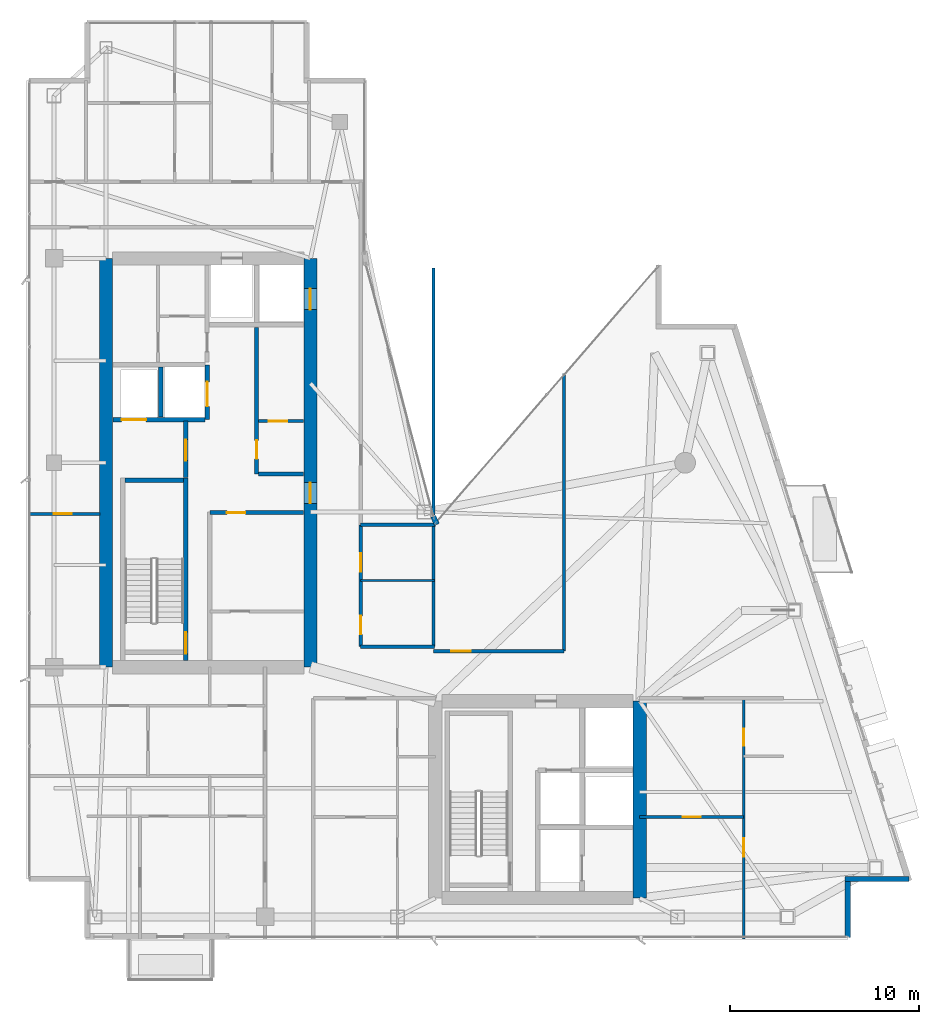
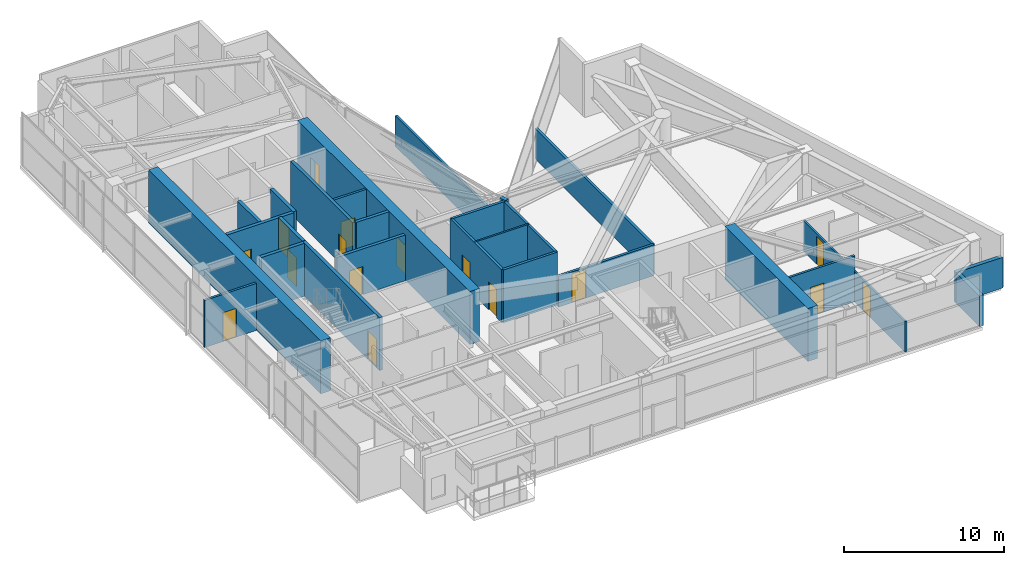
# One storey, part 25 of 29: 27 walls, 16 doors, 16 openings.
"""IFC4 building model written with IfcOpenShell, lengths in metres."""

from ifc_helpers import new_model, si_unit, direction, frame, frame_2d, origin, place, context, subcontext, project, spatial, rectangle, extrude, material, layer, layer_set, type_object, element, fill, save


model = new_model("IFC4")

# Units and contexts
model_context = context("Model", 3, precision=1e-05, world=origin(), true_north=direction((0.0, 1.0)))
body_context = subcontext(model_context, "Body", "Model", "MODEL_VIEW")
ifc_project = project(units=[si_unit("LENGTHUNIT", "METRE"), si_unit("AREAUNIT", "SQUARE_METRE"), si_unit("VOLUMEUNIT", "CUBIC_METRE"), si_unit("PLANEANGLEUNIT", "RADIAN"), si_unit("MASSUNIT", "GRAM", prefix="KILO")], contexts=[model_context])

# Site, building, storey
site_placement = place(None, origin())
site = spatial("IfcSite", under=ifc_project, at=site_placement, CompositionType="ELEMENT")
building_placement = place(site_placement, origin())
building = spatial("IfcBuilding", under=site, at=building_placement, Name="Calvorn Quay Hotel", CompositionType="ELEMENT")
storey_placement = place(building_placement, frame((0.0, 0.0, 259.0)))
storey = spatial("IfcBuildingStorey", under=building, at=storey_placement, Name="L64", CompositionType="ELEMENT", Elevation=259.0)

# Wall
ifc_material_1 = material(Name="Concrete C45", Category="concrete")
ifc_layer_1 = layer(ifc_material_1, 0.699951171875)
ifc_layer_set_1 = layer_set([ifc_layer_1], Name="WL-CORE-700")
wall_type_1 = type_object("IfcWallType", Name="WL-CORE-700", PredefinedType="SHEAR", material=ifc_layer_set_1)
wall_1_placement = place(storey_placement, frame((4.199951171875, 16.800048828125, 0.0), z_axis=(0.0, 0.0, 1.0), x_axis=(0.0, 1.0, 0.0)))
element("IfcWall", 1, at=wall_1_placement, inside=storey, type_object=wall_type_1, Name="West Core Shear Wall W (L64)", PredefinedType="SHEAR", context=body_context, shape_type="SweptSolid", body=[
    extrude(rectangle(XDim=21.599853515625, YDim=0.699951171875, at=frame_2d((10.7998046875, 0.0))), origin(), (0.0, 0.0, 1.0), 4.050048828125),
])

# Wall, openings, doors
wall_2_placement = place(storey_placement, frame((15.0, 16.800048828125, 0.0), z_axis=(0.0, 0.0, 1.0), x_axis=(0.0, 1.0, 0.0)))
wall_2 = element("IfcWall", 2, at=wall_2_placement, inside=storey, type_object=wall_type_1, Name="West Core Shear Wall E (L64)", PredefinedType="SHEAR", context=body_context, shape_type="SweptSolid", body=[
    extrude(rectangle(XDim=21.599853515625, YDim=0.699951171875, at=frame_2d((10.7998046875, 0.0))), origin(), (0.0, 0.0, 1.0), 4.050048828125),
])
opening_1_placement = place(wall_2_placement, frame((8.64990234375, 0.0, 0.0)))
opening_1 = element("IfcOpeningElement", 3, at=opening_1_placement, cuts=wall_2, Name="Opening D-L64-CW1", PredefinedType="OPENING", context=body_context, shape_type="SweptSolid", body=[
    extrude(rectangle(XDim=1.10009765625, YDim=2.199951171875, at=frame_2d((0.550048828125, 1.10009765625))), frame((0.0, 0.35986328125, 0.0), z_axis=(0.0, -1.0, 0.0), x_axis=(1.0, 0.0, 0.0)), (0.0, 0.0, 1.0), 0.719970703125),
])
opening_2_placement = place(wall_2_placement, frame((18.89990234375, 0.0, 0.0)))
opening_2 = element("IfcOpeningElement", 4, at=opening_2_placement, cuts=wall_2, Name="Opening LD-L64-H1", PredefinedType="OPENING", context=body_context, shape_type="SweptSolid", body=[
    extrude(rectangle(XDim=1.10009765625, YDim=2.199951171875, at=frame_2d((0.550048828125, 1.10009765625))), frame((0.0, 0.35986328125, 0.0), z_axis=(0.0, -1.0, 0.0), x_axis=(1.0, 0.0, 0.0)), (0.0, 0.0, 1.0), 0.719970703125),
])
ifc_material_2 = material(Name="Smoke-Sealed Steel Class A Fire Door", Category="steel")
door_type_1 = type_object("IfcDoorType", Name="DR-FFLOBBY-1100", OperationType="NOTDEFINED", PredefinedType="DOOR", material=ifc_material_2)
door_1_placement = place(opening_1_placement, origin())
door_1 = element("IfcDoor", 5, at=door_1_placement, inside=storey, type_object=door_type_1, Name="West Core Vestibule Fire Door (L64)", OperationType="SINGLE_SWING_LEFT", OverallHeight=2.199951171875, OverallWidth=1.10009765625, PredefinedType="DOOR", context=body_context, shape_type="SweptSolid", body=[
    extrude(rectangle(XDim=1.10009765625, YDim=2.199951171875, at=frame_2d((0.550048828125, 1.10009765625))), frame((0.0, 0.02490234375, 0.0), z_axis=(0.0, -1.0, 0.0), x_axis=(1.0, 0.0, 0.0)), (0.0, 0.0, 1.0), 0.050048828125),
])
fill(opening_1, door_1)
ifc_material_3 = material(Name="Brushed Stainless Steel Sliding Lift Landing Door", Category="steel")
door_type_2 = type_object("IfcDoorType", Name="DR-LIFT-PASS-1100", OperationType="NOTDEFINED", PredefinedType="DOOR", material=ifc_material_3)
door_2_placement = place(opening_2_placement, origin())
door_2 = element("IfcDoor", 6, at=door_2_placement, inside=storey, type_object=door_type_2, Name="High-Rise Lift PL-H1 Landing Door (L64)", OperationType="DOUBLE_DOOR_SLIDING", OverallHeight=2.199951171875, OverallWidth=1.10009765625, PredefinedType="DOOR", context=body_context, shape_type="SweptSolid", body=[
    extrude(rectangle(XDim=1.10009765625, YDim=2.199951171875, at=frame_2d((0.550048828125, 1.10009765625))), frame((0.0, 0.02490234375, 0.0), z_axis=(0.0, -1.0, 0.0), x_axis=(1.0, 0.0, 0.0)), (0.0, 0.0, 1.0), 0.050048828125),
])
fill(opening_2, door_2)

# Walls
wall_3_placement = place(storey_placement, frame((32.39990234375, 4.60009765625, 0.0), z_axis=(0.0, 0.0, 1.0), x_axis=(0.0, 1.0, 0.0)))
element("IfcWall", 7, at=wall_3_placement, inside=storey, type_object=wall_type_1, Name="East Core Shear Wall E (L64)", PredefinedType="SHEAR", context=body_context, shape_type="SweptSolid", body=[
    extrude(rectangle(XDim=10.39990234375, YDim=0.699951171875, at=frame_2d((5.199951171875, 0.0))), origin(), (0.0, 0.0, 1.0), 4.050048828125),
])
ifc_material_4 = material(Name="Acoustic Fireboard Steel-Stud Partition", Category="steel")
ifc_layer_2 = layer(ifc_material_4, 0.179931640625)
ifc_layer_set_2 = layer_set([ifc_layer_2], Name="WL-CORR-FIRE-180")
wall_type_2 = type_object("IfcWallType", Name="WL-CORR-FIRE-180", PredefinedType="PARTITIONING", material=ifc_layer_set_2)
wall_4_placement = place(storey_placement, frame((17.64990234375, 17.8798828125, 0.0), z_axis=(0.0, 0.0, 1.0), x_axis=(1.0, 0.0, 0.0)))
element("IfcWall", 8, at=wall_4_placement, inside=storey, type_object=wall_type_2, Name="Partition Wall L64-WL-HK-S", PredefinedType="PARTITIONING", context=body_context, shape_type="SweptSolid", body=[
    extrude(rectangle(XDim=3.900146484375, YDim=0.179931640625, at=frame_2d((1.9501953125, 0.0))), origin(), (0.0, 0.0, 1.0), 4.050048828125),
])
wall_5_placement = place(storey_placement, frame((17.64990234375, 24.320068359375, 0.0), z_axis=(0.0, 0.0, 1.0), x_axis=(1.0, 0.0, 0.0)))
element("IfcWall", 9, at=wall_5_placement, inside=storey, type_object=wall_type_2, Name="Partition Wall L64-WL-HK-N", PredefinedType="PARTITIONING", context=body_context, shape_type="SweptSolid", body=[
    extrude(rectangle(XDim=3.9501953125, YDim=0.179931640625, at=frame_2d((1.97509765625, 0.0))), origin(), (0.0, 0.0, 1.0), 4.050048828125),
])
wall_6_placement = place(storey_placement, frame((21.5, 17.8798828125, 0.0), z_axis=(0.0, 0.0, 1.0), x_axis=(0.0, 1.0, 0.0)))
element("IfcWall", 10, at=wall_6_placement, inside=storey, type_object=wall_type_2, Name="Partition Wall L64-WL-HK-E", PredefinedType="PARTITIONING", context=body_context, shape_type="SweptSolid", body=[
    extrude(rectangle(XDim=6.440185546875, YDim=0.179931640625, at=frame_2d((3.22021484375, 0.0))), origin(), (0.0, 0.0, 1.0), 4.050048828125),
])

# Wall, openings, doors
wall_7_placement = place(storey_placement, frame((17.64990234375, 17.8798828125, 0.0), z_axis=(0.0, 0.0, 1.0), x_axis=(0.0, 1.0, 0.0)))
wall_7 = element("IfcWall", 11, at=wall_7_placement, inside=storey, type_object=wall_type_2, Name="Partition Wall L64-WL-HK-W", PredefinedType="PARTITIONING", context=body_context, shape_type="SweptSolid", body=[
    extrude(rectangle(XDim=6.440185546875, YDim=0.179931640625, at=frame_2d((3.22021484375, 0.0))), origin(), (0.0, 0.0, 1.0), 4.050048828125),
])
opening_3_placement = place(wall_7_placement, frame((0.64990234375, 0.0, 0.0)))
opening_3 = element("IfcOpeningElement", 12, at=opening_3_placement, cuts=wall_7, Name="Opening D-L64-HK", PredefinedType="OPENING", context=body_context, shape_type="SweptSolid", body=[
    extrude(rectangle(XDim=0.97998046875, YDim=2.14990234375, at=frame_2d((0.489990234375, 1.074951171875))), frame((0.0, 0.099853515625, 0.0), z_axis=(0.0, -1.0, 0.0), x_axis=(1.0, 0.0, 0.0)), (0.0, 0.0, 1.0), 0.199951171875),
])
opening_4_placement = place(wall_7_placement, frame((3.969970703125, 0.0, 0.0)))
opening_4 = element("IfcOpeningElement", 13, at=opening_4_placement, cuts=wall_7, Name="Opening D-L64-NCP", PredefinedType="OPENING", context=body_context, shape_type="SweptSolid", body=[
    extrude(rectangle(XDim=0.9599609375, YDim=2.199951171875, at=frame_2d((0.47998046875, 1.10009765625))), frame((0.0, 0.099853515625, 0.0), z_axis=(0.0, -1.0, 0.0), x_axis=(1.0, 0.0, 0.0)), (0.0, 0.0, 1.0), 0.199951171875),
])
ifc_material_5 = material(Name="Painted Steel Housekeeping/Riser Fire Door", Category="steel")
door_type_3 = type_object("IfcDoorType", Name="DR-SERVICE-980", OperationType="NOTDEFINED", PredefinedType="DOOR", material=ifc_material_5)
door_3_placement = place(opening_3_placement, origin())
door_3 = element("IfcDoor", 14, at=door_3_placement, inside=storey, type_object=door_type_3, Name="Floor Housekeeping Door (L64)", OperationType="SINGLE_SWING_LEFT", OverallHeight=2.14990234375, OverallWidth=0.97998046875, PredefinedType="DOOR", context=body_context, shape_type="SweptSolid", body=[
    extrude(rectangle(XDim=0.97998046875, YDim=2.14990234375, at=frame_2d((0.489990234375, 1.074951171875))), frame((0.0, 0.02490234375, 0.0), z_axis=(0.0, -1.0, 0.0), x_axis=(1.0, 0.0, 0.0)), (0.0, 0.0, 1.0), 0.050048828125),
])
fill(opening_3, door_3)
ifc_material_6 = material(Name="Solid Timber Internal Suite Door", Category="wood")
door_type_4 = type_object("IfcDoorType", Name="DR-SUITE-INT-960", OperationType="NOTDEFINED", PredefinedType="DOOR", material=ifc_material_6)
door_4_placement = place(opening_4_placement, origin())
door_4 = element("IfcDoor", 15, at=door_4_placement, inside=storey, type_object=door_type_4, Name="Reading Alcove Door (L64)", OperationType="SINGLE_SWING_RIGHT", OverallHeight=2.199951171875, OverallWidth=0.9599609375, PredefinedType="DOOR", context=body_context, shape_type="SweptSolid", body=[
    extrude(rectangle(XDim=0.9599609375, YDim=2.199951171875, at=frame_2d((0.47998046875, 1.10009765625))), frame((0.0, 0.02490234375, 0.0), z_axis=(0.0, -1.0, 0.0), x_axis=(1.0, 0.0, 0.0)), (0.0, 0.0, 1.0), 0.050048828125),
])
fill(opening_4, door_4)

# Wall, opening, door
wall_8_placement = place(storey_placement, frame((21.5, 17.64990234375, 0.0), z_axis=(0.0, 0.0, 1.0), x_axis=(1.0, 0.0, 0.0)))
wall_8 = element("IfcWall", 16, at=wall_8_placement, inside=storey, type_object=wall_type_2, Name="Partition Wall L64-WL-CORR-NE-N", PredefinedType="PARTITIONING", context=body_context, shape_type="SweptSolid", body=[
    extrude(rectangle(XDim=6.89990234375, YDim=0.179931640625, at=frame_2d((3.449951171875, 0.0))), origin(), (0.0, 0.0, 1.0), 2.35009765625),
])
opening_5_placement = place(wall_8_placement, frame((0.949951171875, 0.0, 0.0)))
opening_5 = element("IfcOpeningElement", 17, at=opening_5_placement, cuts=wall_8, Name="Opening D-L64-NS1", PredefinedType="OPENING", context=body_context, shape_type="SweptSolid", body=[
    extrude(rectangle(XDim=1.02001953125, YDim=2.199951171875, at=frame_2d((0.510009765625, 1.10009765625))), frame((0.0, 0.099853515625, 0.0), z_axis=(0.0, -1.0, 0.0), x_axis=(1.0, 0.0, 0.0)), (0.0, 0.0, 1.0), 0.199951171875),
])
ifc_material_7 = material(Name="Solid-Core Walnut Veneer Hotel Fire Door")
door_type_5 = type_object("IfcDoorType", Name="DR-GUEST-ENTRY-1020", OperationType="NOTDEFINED", PredefinedType="DOOR", material=ifc_material_7)
door_5_placement = place(opening_5_placement, origin())
door_5 = element("IfcDoor", 18, at=door_5_placement, inside=storey, type_object=door_type_5, Name="Conservatory Salon Door 1 (L64)", OperationType="SINGLE_SWING_RIGHT", OverallHeight=2.199951171875, OverallWidth=1.02001953125, PredefinedType="DOOR", context=body_context, shape_type="SweptSolid", body=[
    extrude(rectangle(XDim=1.02001953125, YDim=2.199951171875, at=frame_2d((0.510009765625, 1.10009765625))), frame((0.0, 0.02490234375, 0.0), z_axis=(0.0, -1.0, 0.0), x_axis=(1.0, 0.0, 0.0)), (0.0, 0.0, 1.0), 0.050048828125),
])
fill(opening_5, door_5)

# Walls
wall_9_placement = place(storey_placement, frame((28.39990234375, 17.64990234375, 0.0), z_axis=(0.0, 0.0, 1.0), x_axis=(0.0, 1.0, 0.0)))
element("IfcWall", 19, at=wall_9_placement, inside=storey, type_object=wall_type_2, Name="Partition Wall L64-WL-NE-END-E", PredefinedType="PARTITIONING", context=body_context, shape_type="SweptSolid", body=[
    extrude(rectangle(XDim=14.670166015625, YDim=0.179931640625, at=frame_2d((7.3349609375, 0.0))), origin(), (0.0, 0.0, 1.0), 2.35009765625),
])
ifc_material_8 = material(Name="Moisture-Resistant Tile-Backed Partition")
ifc_layer_3 = layer(ifc_material_8, 0.125)
ifc_layer_set_3 = layer_set([ifc_layer_3], Name="WL-ENSUITE-125")
wall_type_3 = type_object("IfcWallType", Name="WL-ENSUITE-125", PredefinedType="PARTITIONING", material=ifc_layer_set_3)
wall_10_placement = place(storey_placement, frame((17.64990234375, 21.3798828125, 0.0), z_axis=(0.0, 0.0, 1.0), x_axis=(1.0, 0.0, 0.0)))
element("IfcWall", 20, at=wall_10_placement, inside=storey, type_object=wall_type_3, Name="Partition Wall L64-WL-HK-M", PredefinedType="PARTITIONING", context=body_context, shape_type="SweptSolid", body=[
    extrude(rectangle(XDim=3.900146484375, YDim=0.125, at=frame_2d((1.9501953125, 0.0))), origin(), (0.0, 0.0, 1.0), 4.050048828125),
])

# Wall, openings, doors
wall_11_placement = place(storey_placement, frame((37.889892578125, 2.43994140625, 0.0), z_axis=(0.0, 0.0, 1.0), x_axis=(0.0, 1.0, 0.0)))
wall_11 = element("IfcWall", 21, at=wall_11_placement, inside=storey, type_object=wall_type_3, Name="Partition Wall L64-WL-U06-BV", PredefinedType="PARTITIONING", context=body_context, shape_type="SweptSolid", body=[
    extrude(rectangle(XDim=12.7099609375, YDim=0.125, at=frame_2d((6.35498046875, 0.0))), origin(), (0.0, 0.0, 1.0), 2.35009765625),
])
opening_6_placement = place(wall_11_placement, frame((4.35009765625, 0.0, 0.0)))
opening_6 = element("IfcOpeningElement", 22, at=opening_6_placement, cuts=wall_11, Name="Opening D-L64-S06", PredefinedType="OPENING", context=body_context, shape_type="SweptSolid", body=[
    extrude(rectangle(XDim=0.9599609375, YDim=2.199951171875, at=frame_2d((0.47998046875, 1.10009765625))), frame((0.0, 0.072509765625, 0.0), z_axis=(0.0, -1.0, 0.0), x_axis=(1.0, 0.0, 0.0)), (0.0, 0.0, 1.0), 0.14501953125),
])
opening_7_placement = place(wall_11_placement, frame((10.2099609375, 0.0, 0.0)))
opening_7 = element("IfcOpeningElement", 23, at=opening_7_placement, cuts=wall_11, Name="Opening D-L64-E06", PredefinedType="OPENING", context=body_context, shape_type="SweptSolid", body=[
    extrude(rectangle(XDim=0.89990234375, YDim=2.14990234375, at=frame_2d((0.449951171875, 1.074951171875))), frame((0.0, 0.072509765625, 0.0), z_axis=(0.0, -1.0, 0.0), x_axis=(1.0, 0.0, 0.0)), (0.0, 0.0, 1.0), 0.14501953125),
])
ifc_material_9 = material(Name="Moisture-Sealed Timber En-Suite Door", Category="wood")
door_type_6 = type_object("IfcDoorType", Name="DR-ENSUITE-900", OperationType="NOTDEFINED", PredefinedType="DOOR", material=ifc_material_9)
door_6_placement = place(opening_7_placement, origin())
door_6 = element("IfcDoor", 24, at=door_6_placement, inside=storey, type_object=door_type_6, Name="En-Suite Door 06", OperationType="SINGLE_SWING_RIGHT", OverallHeight=2.14990234375, OverallWidth=0.89990234375, PredefinedType="DOOR", context=body_context, shape_type="SweptSolid", body=[
    extrude(rectangle(XDim=0.89990234375, YDim=2.14990234375, at=frame_2d((0.449951171875, 1.074951171875))), frame((0.0, 0.02490234375, 0.0), z_axis=(0.0, -1.0, 0.0), x_axis=(1.0, 0.0, 0.0)), (0.0, 0.0, 1.0), 0.050048828125),
])
fill(opening_7, door_6)
door_7_placement = place(opening_6_placement, origin())
door_7 = element("IfcDoor", 25, at=door_7_placement, inside=storey, type_object=door_type_4, Name="Children Play Nursery Door 06", OperationType="SINGLE_SWING_LEFT", OverallHeight=2.199951171875, OverallWidth=0.9599609375, PredefinedType="DOOR", context=body_context, shape_type="SweptSolid", body=[
    extrude(rectangle(XDim=0.9599609375, YDim=2.199951171875, at=frame_2d((0.47998046875, 1.10009765625))), frame((0.0, 0.02490234375, 0.0), z_axis=(0.0, -1.0, 0.0), x_axis=(1.0, 0.0, 0.0)), (0.0, 0.0, 1.0), 0.050048828125),
])
fill(opening_6, door_7)

# Walls
ifc_material_10 = material(Name="Concrete C40", Category="concrete")
ifc_layer_4 = layer(ifc_material_10, 0.320068359375)
ifc_layer_set_4 = layer_set([ifc_layer_4], Name="WL-EXT-SPANDREL-320")
wall_type_4 = type_object("IfcWallType", Name="WL-EXT-SPANDREL-320", PredefinedType="SOLIDWALL", material=ifc_layer_set_4)
wall_12_placement = place(storey_placement, frame((21.679931640625, 24.340087890625, 0.0), z_axis=(0.0, 0.0, 1.0), x_axis=(-0.40758134973, 0.913168901875, 0.0)))
element("IfcWall", 26, at=wall_12_placement, inside=storey, type_object=wall_type_4, Name="Inner Court Corner Pier L64-ICJ1", PredefinedType="SOLIDWALL", context=body_context, shape_type="SweptSolid", body=[
    extrude(rectangle(XDim=0.470703125, YDim=0.280029296875, at=frame_2d((0.2353515625, 0.0))), origin(), (0.0, 0.0, 1.0), 4.050048828125),
])
wall_13_placement = place(storey_placement, frame((43.39990234375, 2.52001953125, 0.0), z_axis=(0.0, 0.0, 1.0), x_axis=(0.0, 1.0, 0.0)))
element("IfcWall", 27, at=wall_13_placement, inside=storey, type_object=wall_type_4, Name="Notched Corner Spandrel L64-SE1", PredefinedType="SOLIDWALL", context=body_context, shape_type="SweptSolid", body=[
    extrude(rectangle(XDim=2.93994140625, YDim=0.280029296875, at=frame_2d((1.469970703125, 0.0))), origin(), (0.0, 0.0, 1.0), 2.35009765625),
])
wall_14_placement = place(storey_placement, frame((43.260009765625, 5.60009765625, 0.0), z_axis=(0.0, 0.0, 1.0), x_axis=(1.0, 0.0, 0.0)))
element("IfcWall", 28, at=wall_14_placement, inside=storey, type_object=wall_type_4, Name="Notched Corner Spandrel L64-SE2", PredefinedType="SOLIDWALL", context=body_context, shape_type="SweptSolid", body=[
    extrude(rectangle(XDim=3.3798828125, YDim=0.280029296875, at=frame_2d((1.68994140625, 0.0))), origin(), (0.0, 0.0, 1.0), 2.35009765625),
])

# Wall, opening, door
ifc_material_11 = material(Name="Double-Stud Acoustic Gypsum Partition")
ifc_layer_5 = layer(ifc_material_11, 0.159912109375)
ifc_layer_set_5 = layer_set([ifc_layer_5], Name="WL-INTERSUITE-160")
wall_type_5 = type_object("IfcWallType", Name="WL-INTERSUITE-160", PredefinedType="PARTITIONING", material=ifc_layer_set_5)
wall_15_placement = place(storey_placement, frame((12.25, 29.800048828125, 0.0), z_axis=(0.0, 0.0, 1.0), x_axis=(1.0, 0.0, 0.0)))
wall_15 = element("IfcWall", 29, at=wall_15_placement, inside=storey, type_object=wall_type_5, Name="Partition Wall L64-WL-CWW-FM-SPLIT", PredefinedType="PARTITIONING", context=body_context, shape_type="SweptSolid", body=[
    extrude(rectangle(XDim=2.3798828125, YDim=0.159912109375, at=frame_2d((1.18994140625, 0.0))), origin(), (0.0, 0.0, 1.0), 4.050048828125),
])
opening_8_placement = place(wall_15_placement, frame((0.550048828125, 0.0, 0.0)))
opening_8 = element("IfcOpeningElement", 30, at=opening_8_placement, cuts=wall_15, Name="Opening D-L64-FM2", PredefinedType="OPENING", context=body_context, shape_type="SweptSolid", body=[
    extrude(rectangle(XDim=0.97998046875, YDim=2.14990234375, at=frame_2d((0.489990234375, 1.074951171875))), frame((0.0, 0.08984375, 0.0), z_axis=(0.0, -1.0, 0.0), x_axis=(1.0, 0.0, 0.0)), (0.0, 0.0, 1.0), 0.179931640625),
])
door_8_placement = place(opening_8_placement, origin())
door_8 = element("IfcDoor", 31, at=door_8_placement, inside=storey, type_object=door_type_3, Name="Comms Room Door (L64)", OperationType="SINGLE_SWING_LEFT", OverallHeight=2.14990234375, OverallWidth=0.97998046875, PredefinedType="DOOR", context=body_context, shape_type="SweptSolid", body=[
    extrude(rectangle(XDim=0.97998046875, YDim=2.14990234375, at=frame_2d((0.489990234375, 1.074951171875))), frame((0.0, 0.02490234375, 0.0), z_axis=(0.0, -1.0, 0.0), x_axis=(1.0, 0.0, 0.0)), (0.0, 0.0, 1.0), 0.050048828125),
])
fill(opening_8, door_8)

wall_16_placement = place(storey_placement, frame((0.080078125, 24.89990234375, 0.0), z_axis=(0.0, 0.0, 1.0), x_axis=(1.0, 0.0, 0.0)))
wall_16 = element("IfcWall", 32, at=wall_16_placement, inside=storey, type_object=wall_type_5, Name="Partition Wall L64-WL-WBAY-DIV", PredefinedType="PARTITIONING", context=body_context, shape_type="SweptSolid", body=[
    extrude(rectangle(XDim=3.7998046875, YDim=0.159912109375, at=frame_2d((1.89990234375, 0.0))), origin(), (0.0, 0.0, 1.0), 3.60009765625),
])
opening_9_placement = place(wall_16_placement, frame((1.35009765625, 0.0, 0.0)))
opening_9 = element("IfcOpeningElement", 33, at=opening_9_placement, cuts=wall_16, Name="Opening D-L64-WBD", PredefinedType="OPENING", context=body_context, shape_type="SweptSolid", body=[
    extrude(rectangle(XDim=0.9599609375, YDim=2.199951171875, at=frame_2d((0.47998046875, 1.10009765625))), frame((0.0, 0.08984375, 0.0), z_axis=(0.0, -1.0, 0.0), x_axis=(1.0, 0.0, 0.0)), (0.0, 0.0, 1.0), 0.179931640625),
])
door_9_placement = place(opening_9_placement, origin())
door_9 = element("IfcDoor", 34, at=door_9_placement, inside=storey, type_object=door_type_4, Name="West Bay Connecting Door (L64)", OperationType="SINGLE_SWING_LEFT", OverallHeight=2.199951171875, OverallWidth=0.9599609375, PredefinedType="DOOR", context=body_context, shape_type="SweptSolid", body=[
    extrude(rectangle(XDim=0.9599609375, YDim=2.199951171875, at=frame_2d((0.47998046875, 1.10009765625))), frame((0.0, 0.02490234375, 0.0), z_axis=(0.0, -1.0, 0.0), x_axis=(1.0, 0.0, 0.0)), (0.0, 0.0, 1.0), 0.050048828125),
])
fill(opening_9, door_9)

wall_17_placement = place(storey_placement, frame((32.39990234375, 8.8798828125, 0.0), z_axis=(0.0, 0.0, 1.0), x_axis=(1.0, 0.0, 0.0)))
wall_17 = element("IfcWall", 35, at=wall_17_placement, inside=storey, type_object=wall_type_5, Name="Partition Wall L64-WL-U06-MSP", PredefinedType="PARTITIONING", context=body_context, shape_type="SweptSolid", body=[
    extrude(rectangle(XDim=5.489990234375, YDim=0.159912109375, at=frame_2d((2.7451171875, 0.0))), origin(), (0.0, 0.0, 1.0), 3.5),
])
opening_10_placement = place(wall_17_placement, frame((2.27001953125, 0.0, 0.0)))
opening_10 = element("IfcOpeningElement", 36, at=opening_10_placement, cuts=wall_17, Name="Opening D-L64-M06", PredefinedType="OPENING", context=body_context, shape_type="SweptSolid", body=[
    extrude(rectangle(XDim=0.9599609375, YDim=2.199951171875, at=frame_2d((0.47998046875, 1.10009765625))), frame((0.0, 0.08984375, 0.0), z_axis=(0.0, -1.0, 0.0), x_axis=(1.0, 0.0, 0.0)), (0.0, 0.0, 1.0), 0.179931640625),
])
door_10_placement = place(opening_10_placement, origin())
door_10 = element("IfcDoor", 37, at=door_10_placement, inside=storey, type_object=door_type_4, Name="Suite Bedroom Door 06", OperationType="SINGLE_SWING_LEFT", OverallHeight=2.199951171875, OverallWidth=0.9599609375, PredefinedType="DOOR", context=body_context, shape_type="SweptSolid", body=[
    extrude(rectangle(XDim=0.9599609375, YDim=2.199951171875, at=frame_2d((0.47998046875, 1.10009765625))), frame((0.0, 0.02490234375, 0.0), z_axis=(0.0, -1.0, 0.0), x_axis=(1.0, 0.0, 0.0)), (0.0, 0.0, 1.0), 0.050048828125),
])
fill(opening_10, door_10)

# Wall
wall_18_placement = place(storey_placement, frame((21.5, 24.85009765625, 0.0), z_axis=(0.0, 0.0, 1.0), x_axis=(0.0, 1.0, 0.0)))
element("IfcWall", 38, at=wall_18_placement, inside=storey, type_object=wall_type_5, Name="Partition Wall L64-WL-NC-UPPER-E", PredefinedType="PARTITIONING", context=body_context, shape_type="SweptSolid", body=[
    extrude(rectangle(XDim=13.0498046875, YDim=0.159912109375, at=frame_2d((6.52490234375, 0.0))), origin(), (0.0, 0.0, 1.0), 2.35009765625),
])

# Wall, opening, door
ifc_material_12 = material(Name="Autoclaved Aerated Masonry Block", Category="masonry")
ifc_layer_6 = layer(ifc_material_12, 0.219970703125)
ifc_layer_set_6 = layer_set([ifc_layer_6], Name="WL-LOBBY-FIRE-220")
wall_type_6 = type_object("IfcWallType", Name="WL-LOBBY-FIRE-220", PredefinedType="SOLIDWALL", material=ifc_layer_set_6)
wall_19_placement = place(storey_placement, frame((9.679931640625, 24.969970703125, 0.0), z_axis=(0.0, 0.0, 1.0), x_axis=(1.0, 0.0, 0.0)))
wall_19 = element("IfcWall", 39, at=wall_19_placement, inside=storey, type_object=wall_type_6, Name="Partition Wall L64-WL-CWW-FR-N", PredefinedType="SOLIDWALL", context=body_context, shape_type="SweptSolid", body=[
    extrude(rectangle(XDim=4.949951171875, YDim=0.219970703125, at=frame_2d((2.47509765625, 0.0))), origin(), (0.0, 0.0, 1.0), 3.5),
])
opening_11_placement = place(wall_19_placement, frame((0.89990234375, 0.0, 0.0)))
opening_11 = element("IfcOpeningElement", 40, at=opening_11_placement, cuts=wall_19, Name="Opening D-L64-FRL2", PredefinedType="OPENING", context=body_context, shape_type="SweptSolid", body=[
    extrude(rectangle(XDim=0.97998046875, YDim=2.14990234375, at=frame_2d((0.489990234375, 1.074951171875))), frame((0.0, 0.119873046875, 0.0), z_axis=(0.0, -1.0, 0.0), x_axis=(1.0, 0.0, 0.0)), (0.0, 0.0, 1.0), 0.239990234375),
])
door_11_placement = place(opening_11_placement, origin())
door_11 = element("IfcDoor", 41, at=door_11_placement, inside=storey, type_object=door_type_3, Name="Beverage Pantry Door (L64)", OperationType="SINGLE_SWING_RIGHT", OverallHeight=2.14990234375, OverallWidth=0.97998046875, PredefinedType="DOOR", context=body_context, shape_type="SweptSolid", body=[
    extrude(rectangle(XDim=0.97998046875, YDim=2.14990234375, at=frame_2d((0.489990234375, 1.074951171875))), frame((0.0, 0.02490234375, 0.0), z_axis=(0.0, -1.0, 0.0), x_axis=(1.0, 0.0, 0.0)), (0.0, 0.0, 1.0), 0.050048828125),
])
fill(opening_11, door_11)

# Wall
wall_20_placement = place(storey_placement, frame((12.25, 27.0, 0.0), z_axis=(0.0, 0.0, 1.0), x_axis=(1.0, 0.0, 0.0)))
element("IfcWall", 42, at=wall_20_placement, inside=storey, type_object=wall_type_6, Name="Partition Wall L64-WL-CWW-FM-S", PredefinedType="SOLIDWALL", context=body_context, shape_type="SweptSolid", body=[
    extrude(rectangle(XDim=2.3798828125, YDim=0.219970703125, at=frame_2d((1.18994140625, 0.0))), origin(), (0.0, 0.0, 1.0), 4.050048828125),
])

# Wall, opening, door
wall_21_placement = place(storey_placement, frame((12.14990234375, 27.0, 0.0), z_axis=(0.0, 0.0, 1.0), x_axis=(0.0, 1.0, 0.0)))
wall_21 = element("IfcWall", 43, at=wall_21_placement, inside=storey, type_object=wall_type_6, Name="Partition Wall L64-WL-CWW-FM-W", PredefinedType="SOLIDWALL", context=body_context, shape_type="SweptSolid", body=[
    extrude(rectangle(XDim=7.75, YDim=0.219970703125, at=frame_2d((3.875, 0.0))), origin(), (0.0, 0.0, 1.0), 4.050048828125),
])
opening_12_placement = place(wall_21_placement, frame((0.800048828125, 0.0, 0.0)))
opening_12 = element("IfcOpeningElement", 44, at=opening_12_placement, cuts=wall_21, Name="Opening D-L64-FM1", PredefinedType="OPENING", context=body_context, shape_type="SweptSolid", body=[
    extrude(rectangle(XDim=0.97998046875, YDim=2.14990234375, at=frame_2d((0.489990234375, 1.074951171875))), frame((0.0, 0.119873046875, 0.0), z_axis=(0.0, -1.0, 0.0), x_axis=(1.0, 0.0, 0.0)), (0.0, 0.0, 1.0), 0.239990234375),
])
door_12_placement = place(opening_12_placement, origin())
door_12 = element("IfcDoor", 45, at=door_12_placement, inside=storey, type_object=door_type_3, Name="Butler Pantry Door (L64)", OperationType="SINGLE_SWING_RIGHT", OverallHeight=2.14990234375, OverallWidth=0.97998046875, PredefinedType="DOOR", context=body_context, shape_type="SweptSolid", body=[
    extrude(rectangle(XDim=0.97998046875, YDim=2.14990234375, at=frame_2d((0.489990234375, 1.074951171875))), frame((0.0, 0.02490234375, 0.0), z_axis=(0.0, -1.0, 0.0), x_axis=(1.0, 0.0, 0.0)), (0.0, 0.0, 1.0), 0.050048828125),
])
fill(opening_12, door_12)

ifc_material_13 = material(Name="Concrete C40", Category="concrete")
ifc_layer_7 = layer(ifc_material_13, 0.239990234375)
ifc_layer_set_7 = layer_set([ifc_layer_7], Name="WL-SHAFT-240")
wall_type_7 = type_object("IfcWallType", Name="WL-SHAFT-240", PredefinedType="SOLIDWALL", material=ifc_layer_set_7)
wall_22_placement = place(storey_placement, frame((8.419921875, 17.14990234375, 0.0), z_axis=(0.0, 0.0, 1.0), x_axis=(0.0, 1.0, 0.0)))
wall_22 = element("IfcWall", 46, at=wall_22_placement, inside=storey, type_object=wall_type_7, Name="Stair STW Shaft Wall E (L64)", PredefinedType="SOLIDWALL", context=body_context, shape_type="SweptSolid", body=[
    extrude(rectangle(XDim=9.64013671875, YDim=0.239990234375, at=frame_2d((4.820068359375, 0.0))), origin(), (0.0, 0.0, 1.0), 4.050048828125),
])
opening_13_placement = place(wall_22_placement, frame((0.35009765625, 0.0, 0.0)))
opening_13 = element("IfcOpeningElement", 47, at=opening_13_placement, cuts=wall_22, Name="Opening D-L64-STW", PredefinedType="OPENING", context=body_context, shape_type="SweptSolid", body=[
    extrude(rectangle(XDim=1.14990234375, YDim=2.199951171875, at=frame_2d((0.574951171875, 1.10009765625))), frame((0.0, 0.1298828125, 0.0), z_axis=(0.0, -1.0, 0.0), x_axis=(1.0, 0.0, 0.0)), (0.0, 0.0, 1.0), 0.260009765625),
])
ifc_material_14 = material(Name="Galvanised Steel Class A Fire Door", Category="steel")
door_type_7 = type_object("IfcDoorType", Name="DR-STAIR-SMOKE-1150", OperationType="NOTDEFINED", PredefinedType="DOOR", material=ifc_material_14)
door_13_placement = place(opening_13_placement, origin())
door_13 = element("IfcDoor", 48, at=door_13_placement, inside=storey, type_object=door_type_7, Name="Stair ST-W Fire Door (L64)", OperationType="SINGLE_SWING_LEFT", OverallHeight=2.199951171875, OverallWidth=1.14990234375, PredefinedType="DOOR", context=body_context, shape_type="SweptSolid", body=[
    extrude(rectangle(XDim=1.14990234375, YDim=2.199951171875, at=frame_2d((0.574951171875, 1.10009765625))), frame((0.0, 0.02490234375, 0.0), z_axis=(0.0, -1.0, 0.0), x_axis=(1.0, 0.0, 0.0)), (0.0, 0.0, 1.0), 0.050048828125),
])
fill(opening_13, door_13)

# Wall
wall_23_placement = place(storey_placement, frame((5.199951171875, 26.669921875, 0.0), z_axis=(0.0, 0.0, 1.0), x_axis=(1.0, 0.0, 0.0)))
element("IfcWall", 49, at=wall_23_placement, inside=storey, type_object=wall_type_7, Name="Stair STW Shaft Wall N (L64)", PredefinedType="SOLIDWALL", context=body_context, shape_type="SweptSolid", body=[
    extrude(rectangle(XDim=3.10009765625, YDim=0.239990234375, at=frame_2d((1.550048828125, 0.0))), origin(), (0.0, 0.0, 1.0), 4.050048828125),
])

# Wall, opening, door
wall_24_placement = place(storey_placement, frame((8.419921875, 26.820068359375, 0.0), z_axis=(0.0, 0.0, 1.0), x_axis=(0.0, 1.0, 0.0)))
wall_24 = element("IfcWall", 50, at=wall_24_placement, inside=storey, type_object=wall_type_7, Name="Partition Wall L64-WL-CWW-FFL-E", PredefinedType="SOLIDWALL", context=body_context, shape_type="SweptSolid", body=[
    extrude(rectangle(XDim=3.0, YDim=0.239990234375, at=frame_2d((1.5, 0.0))), origin(), (0.0, 0.0, 1.0), 4.050048828125),
])
opening_14_placement = place(wall_24_placement, frame((0.89990234375, 0.0, 0.0)))
opening_14 = element("IfcOpeningElement", 51, at=opening_14_placement, cuts=wall_24, Name="Opening D-L64-FLW", PredefinedType="OPENING", context=body_context, shape_type="SweptSolid", body=[
    extrude(rectangle(XDim=1.10009765625, YDim=2.199951171875, at=frame_2d((0.550048828125, 1.10009765625))), frame((0.0, 0.1298828125, 0.0), z_axis=(0.0, -1.0, 0.0), x_axis=(1.0, 0.0, 0.0)), (0.0, 0.0, 1.0), 0.260009765625),
])
door_14_placement = place(opening_14_placement, origin())
door_14 = element("IfcDoor", 52, at=door_14_placement, inside=storey, type_object=door_type_1, Name="West Firefighting Lobby Fire Door (L64)", OperationType="SINGLE_SWING_RIGHT", OverallHeight=2.199951171875, OverallWidth=1.10009765625, PredefinedType="DOOR", context=body_context, shape_type="SweptSolid", body=[
    extrude(rectangle(XDim=1.10009765625, YDim=2.199951171875, at=frame_2d((0.550048828125, 1.10009765625))), frame((0.0, 0.02490234375, 0.0), z_axis=(0.0, -1.0, 0.0), x_axis=(1.0, 0.0, 0.0)), (0.0, 0.0, 1.0), 0.050048828125),
])
fill(opening_14, door_14)

wall_25_placement = place(storey_placement, frame((4.570068359375, 29.8798828125, 0.0), z_axis=(0.0, 0.0, 1.0), x_axis=(1.0, 0.0, 0.0)))
wall_25 = element("IfcWall", 53, at=wall_25_placement, inside=storey, type_object=wall_type_7, Name="Partition Wall L64-WL-CWW-FLW-S", PredefinedType="SOLIDWALL", context=body_context, shape_type="SweptSolid", body=[
    extrude(rectangle(XDim=4.849853515625, YDim=0.239990234375, at=frame_2d((2.4248046875, 0.0))), origin(), (0.0, 0.0, 1.0), 4.050048828125),
])
opening_15_placement = place(wall_25_placement, frame((0.449951171875, 0.0, 0.0)))
opening_15 = element("IfcOpeningElement", 54, at=opening_15_placement, cuts=wall_25, Name="Opening LD-L64-FLW1", PredefinedType="OPENING", context=body_context, shape_type="SweptSolid", body=[
    extrude(rectangle(XDim=1.300048828125, YDim=2.35009765625, at=frame_2d((0.64990234375, 1.175048828125))), frame((0.0, 0.1298828125, 0.0), z_axis=(0.0, -1.0, 0.0), x_axis=(1.0, 0.0, 0.0)), (0.0, 0.0, 1.0), 0.260009765625),
])
ifc_material_15 = material(Name="Champagne-Bronze Sliding Express Lift Landing Door")
door_type_8 = type_object("IfcDoorType", Name="DR-LIFT-SHUTTLE-1300", OperationType="NOTDEFINED", PredefinedType="DOOR", material=ifc_material_15)
door_15_placement = place(opening_15_placement, origin())
door_15 = element("IfcDoor", 55, at=door_15_placement, inside=storey, type_object=door_type_8, Name="Firefighting Lift FL-W1 Landing Door (L64)", OperationType="DOUBLE_DOOR_SLIDING", OverallHeight=2.35009765625, OverallWidth=1.300048828125, PredefinedType="DOOR", context=body_context, shape_type="SweptSolid", body=[
    extrude(rectangle(XDim=1.300048828125, YDim=2.35009765625, at=frame_2d((0.64990234375, 1.175048828125))), frame((0.0, 0.02490234375, 0.0), z_axis=(0.0, -1.0, 0.0), x_axis=(1.0, 0.0, 0.0)), (0.0, 0.0, 1.0), 0.050048828125),
])
fill(opening_15, door_15)

# Wall
wall_26_placement = place(storey_placement, frame((7.10009765625, 30.02001953125, 0.0), z_axis=(0.0, 0.0, 1.0), x_axis=(0.0, 1.0, 0.0)))
element("IfcWall", 56, at=wall_26_placement, inside=storey, type_object=wall_type_7, Name="Partition Wall L64-WL-CWW-FLW-DIV", PredefinedType="SOLIDWALL", context=body_context, shape_type="SweptSolid", body=[
    extrude(rectangle(XDim=2.6298828125, YDim=0.239990234375, at=frame_2d((1.31494140625, 0.0))), origin(), (0.0, 0.0, 1.0), 4.050048828125),
])

# Wall, opening, door
wall_27_placement = place(storey_placement, frame((9.5400390625, 29.8798828125, 0.0), z_axis=(0.0, 0.0, 1.0), x_axis=(0.0, 1.0, 0.0)))
wall_27 = element("IfcWall", 57, at=wall_27_placement, inside=storey, type_object=wall_type_7, Name="Partition Wall L64-WL-CWW-SLW-E", PredefinedType="SOLIDWALL", context=body_context, shape_type="SweptSolid", body=[
    extrude(rectangle(XDim=2.900146484375, YDim=0.239990234375, at=frame_2d((1.4501953125, 0.0))), origin(), (0.0, 0.0, 1.0), 4.050048828125),
])
opening_16_placement = place(wall_27_placement, frame((0.699951171875, 0.0, 0.0)))
opening_16 = element("IfcOpeningElement", 58, at=opening_16_placement, cuts=wall_27, Name="Opening LD-L64-SLW1", PredefinedType="OPENING", context=body_context, shape_type="SweptSolid", body=[
    extrude(rectangle(XDim=1.300048828125, YDim=2.35009765625, at=frame_2d((0.64990234375, 1.175048828125))), frame((0.0, 0.1298828125, 0.0), z_axis=(0.0, -1.0, 0.0), x_axis=(1.0, 0.0, 0.0)), (0.0, 0.0, 1.0), 0.260009765625),
])
door_16_placement = place(opening_16_placement, origin())
door_16 = element("IfcDoor", 59, at=door_16_placement, inside=storey, type_object=door_type_8, Name="Service Lift SL-W1 Landing Door (L64)", OperationType="DOUBLE_DOOR_SLIDING", OverallHeight=2.35009765625, OverallWidth=1.300048828125, PredefinedType="DOOR", context=body_context, shape_type="SweptSolid", body=[
    extrude(rectangle(XDim=1.300048828125, YDim=2.35009765625, at=frame_2d((0.64990234375, 1.175048828125))), frame((0.0, 0.02490234375, 0.0), z_axis=(0.0, -1.0, 0.0), x_axis=(1.0, 0.0, 0.0)), (0.0, 0.0, 1.0), 0.050048828125),
])
fill(opening_16, door_16)

save(model, "model.ifc")
